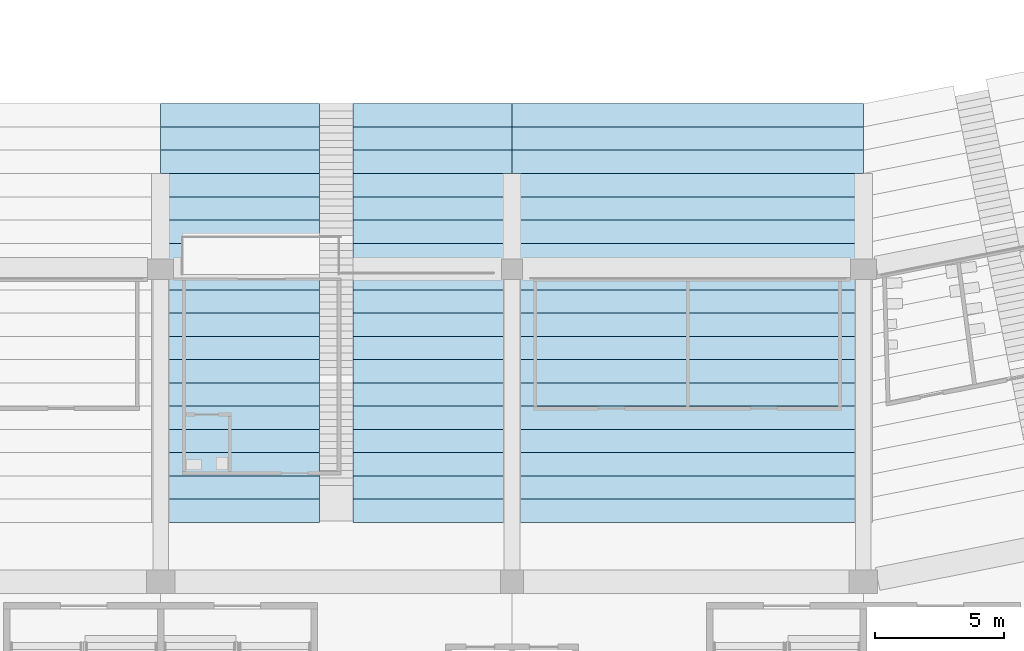
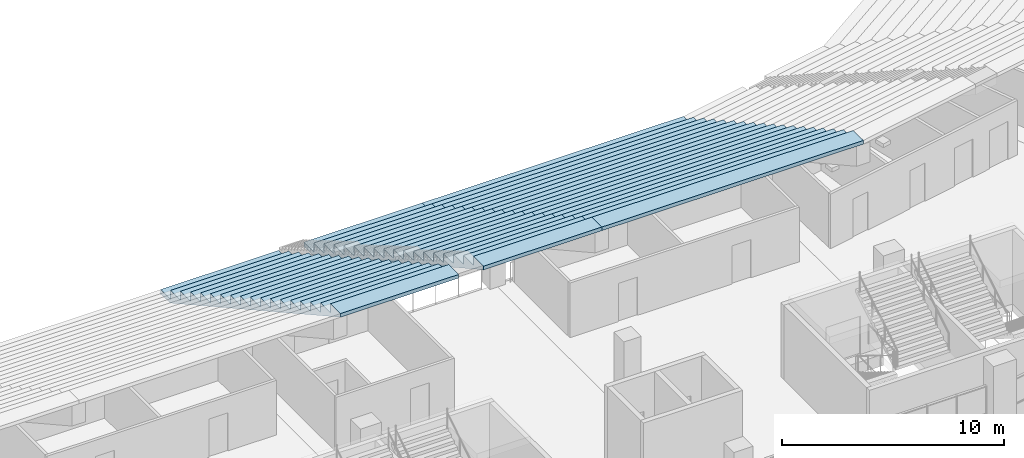
# One storey, part 118 of 249: 2 slabs.
"""IFC4 building model written with IfcOpenShell, lengths in metres."""

from ifc_helpers import new_model, si_unit, direction, frame, origin, place, context, subcontext, project, spatial, faceted_brep, material, layer, layer_set, type_object, element, save


model = new_model("IFC4")

# Units and contexts
model_context = context("Model", 3, precision=1e-05, world=origin(), true_north=direction((0.0, 1.0)))
body_context = subcontext(model_context, "Body", "Model", "MODEL_VIEW")
ifc_project = project(units=[si_unit("LENGTHUNIT", "METRE"), si_unit("AREAUNIT", "SQUARE_METRE"), si_unit("VOLUMEUNIT", "CUBIC_METRE"), si_unit("PLANEANGLEUNIT", "RADIAN"), si_unit("MASSUNIT", "GRAM", prefix="KILO")], contexts=[model_context])

# Site, building, storey
site_placement = place(None, origin())
site = spatial("IfcSite", under=ifc_project, at=site_placement, CompositionType="ELEMENT")
building_placement = place(site_placement, origin())
building = spatial("IfcBuilding", under=site, at=building_placement, Name="Ogive Plaza Stadium", CompositionType="ELEMENT")
storey_placement = place(building_placement, frame((0.0, 0.0, 13.5)))
storey = spatial("IfcBuildingStorey", under=building, at=storey_placement, Name="L03", CompositionType="ELEMENT", Elevation=13.5)

# Slabs
ifc_material = material(Name="Concrete C45/55 precast", Category="concrete")
ifc_layer = layer(ifc_material, 0.699951171875)
ifc_layer_set = layer_set([ifc_layer], Name="Concrete C45/55 precast")
slab_type = type_object("IfcSlabType", Name="Seating tier UT 700", PredefinedType="USERDEFINED", material=ifc_layer_set)
slab_1_placement = place(storey_placement, origin())
element("IfcSlab", 1, at=slab_1_placement, inside=storey, type_object=slab_type, Name="Stand UT B12", ObjectType="SEATING TIER", PredefinedType="USERDEFINED", context=body_context, shape_type="Brep", body=[
    faceted_brep([(20.39990234375, -74.0, 0.5), (20.39990234375, -74.89990234375, 0.5), (34.0, -74.89990234375, 0.5), (34.0, -74.0, 0.5), (20.39990234375, -74.89990234375, 0.300048828125), (34.0, -74.0, 0.25), (34.0, -74.89990234375, 0.300048828125), (20.39990234375, -74.0, 0.25), (34.0, -74.89990234375, 1.0), (20.39990234375, -74.89990234375, 1.0), (34.0, -75.800048828125, 1.0), (34.0, -75.800048828125, 0.800048828125), (34.0, -75.800048828125, 1.5), (34.0, -76.699951171875, 1.5), (34.0, -76.699951171875, 1.300048828125), (34.0, -76.699951171875, 2.0), (34.0, -77.60009765625, 2.0), (34.0, -77.60009765625, 1.800048828125), (34.0, -77.60009765625, 2.5), (34.0, -78.5, 2.5), (34.0, -78.5, 2.300048828125), (34.0, -78.5, 3.0), (34.0, -79.39990234375, 3.0), (34.0, -79.39990234375, 2.800048828125), (34.0, -79.39990234375, 3.5), (34.0, -80.300048828125, 3.5), (34.0, -80.300048828125, 3.300048828125), (34.0, -80.300048828125, 4.0), (34.0, -81.199951171875, 4.0), (34.0, -81.199951171875, 3.800048828125), (34.0, -81.199951171875, 4.5), (34.0, -82.10009765625, 4.5), (34.0, -82.10009765625, 4.300048828125), (34.0, -82.10009765625, 5.0), (34.0, -83.0, 5.0), (34.0, -83.0, 4.800048828125), (34.0, -83.0, 5.5), (34.0, -83.89990234375, 5.5), (34.0, -83.89990234375, 5.300048828125), (34.0, -83.89990234375, 6.0), (34.0, -84.800048828125, 6.0), (34.0, -84.800048828125, 5.800048828125), (34.0, -84.800048828125, 6.5), (34.0, -85.699951171875, 6.5), (34.0, -85.699951171875, 6.300048828125), (34.0, -85.699951171875, 7.0), (34.0, -86.60009765625, 7.0), (34.0, -86.60009765625, 6.800048828125), (34.0, -86.60009765625, 7.5), (34.0, -87.5, 7.5), (34.0, -87.5, 7.300048828125), (34.0, -87.5, 8.0), (34.0, -88.39990234375, 8.0), (34.0, -88.39990234375, 7.800048828125), (34.0, -88.39990234375, 8.5), (34.0, -89.300048828125, 8.5), (34.0, -89.300048828125, 8.300048828125), (34.0, -89.300048828125, 9.0), (34.0, -90.199951171875, 9.0), (34.0, -90.199951171875, 8.800048828125), (20.39990234375, -75.800048828125, 1.0), (20.39990234375, -75.800048828125, 0.800048828125), (20.39990234375, -76.699951171875, 1.5), (20.39990234375, -75.800048828125, 1.5), (20.39990234375, -76.699951171875, 1.300048828125), (20.39990234375, -77.60009765625, 2.0), (20.39990234375, -76.699951171875, 2.0), (20.39990234375, -77.60009765625, 1.800048828125), (20.39990234375, -78.5, 2.5), (20.39990234375, -77.60009765625, 2.5), (20.39990234375, -78.5, 2.300048828125), (20.39990234375, -79.39990234375, 3.0), (20.39990234375, -78.5, 3.0), (20.39990234375, -79.39990234375, 2.800048828125), (20.39990234375, -80.300048828125, 3.5), (20.39990234375, -79.39990234375, 3.5), (20.39990234375, -80.300048828125, 3.300048828125), (20.39990234375, -81.199951171875, 4.0), (20.39990234375, -80.300048828125, 4.0), (20.39990234375, -81.199951171875, 3.800048828125), (20.39990234375, -82.10009765625, 4.5), (20.39990234375, -81.199951171875, 4.5), (20.39990234375, -82.10009765625, 4.300048828125), (20.39990234375, -83.0, 5.0), (20.39990234375, -82.10009765625, 5.0), (20.39990234375, -83.0, 4.800048828125), (20.39990234375, -83.89990234375, 5.5), (20.39990234375, -83.0, 5.5), (20.39990234375, -83.89990234375, 5.300048828125), (20.39990234375, -84.800048828125, 6.0), (20.39990234375, -83.89990234375, 6.0), (20.39990234375, -84.800048828125, 5.800048828125), (20.39990234375, -85.699951171875, 6.5), (20.39990234375, -84.800048828125, 6.5), (20.39990234375, -85.699951171875, 6.300048828125), (20.39990234375, -86.60009765625, 7.0), (20.39990234375, -85.699951171875, 7.0), (20.39990234375, -86.60009765625, 6.800048828125), (20.39990234375, -87.5, 7.5), (20.39990234375, -86.60009765625, 7.5), (20.39990234375, -87.5, 7.300048828125), (20.39990234375, -88.39990234375, 8.0), (20.39990234375, -87.5, 8.0), (20.39990234375, -88.39990234375, 7.800048828125), (20.39990234375, -89.300048828125, 8.5), (20.39990234375, -88.39990234375, 8.5), (20.39990234375, -89.300048828125, 8.300048828125), (20.39990234375, -90.199951171875, 9.0), (20.39990234375, -89.300048828125, 9.0), (20.39990234375, -90.199951171875, 8.800048828125)], [[[0, 1, 2]], [[2, 3, 0]], [[4, 5, 6]], [[4, 7, 5]], [[8, 2, 1]], [[1, 9, 8]], [[6, 5, 3]], [[6, 3, 2]], [[2, 8, 10]], [[10, 11, 6]], [[6, 2, 10]], [[10, 12, 13]], [[13, 14, 11]], [[11, 10, 13]], [[13, 15, 16]], [[16, 17, 14]], [[14, 13, 16]], [[16, 18, 19]], [[19, 20, 17]], [[17, 16, 19]], [[19, 21, 22]], [[22, 23, 20]], [[20, 19, 22]], [[22, 24, 25]], [[25, 26, 23]], [[23, 22, 25]], [[25, 27, 28]], [[28, 29, 26]], [[26, 25, 28]], [[28, 30, 31]], [[31, 32, 29]], [[29, 28, 31]], [[31, 33, 34]], [[34, 35, 32]], [[32, 31, 34]], [[34, 36, 37]], [[37, 38, 35]], [[35, 34, 37]], [[37, 39, 40]], [[40, 41, 38]], [[38, 37, 40]], [[40, 42, 43]], [[43, 44, 41]], [[41, 40, 43]], [[43, 45, 46]], [[46, 47, 44]], [[44, 43, 46]], [[46, 48, 49]], [[49, 50, 47]], [[47, 46, 49]], [[49, 51, 52]], [[52, 53, 50]], [[50, 49, 52]], [[52, 54, 55]], [[55, 56, 53]], [[53, 52, 55]], [[55, 57, 58]], [[58, 59, 56]], [[56, 55, 58]], [[3, 5, 7]], [[7, 0, 3]], [[0, 7, 4]], [[4, 1, 0]], [[60, 9, 1]], [[1, 4, 61]], [[61, 60, 1]], [[62, 63, 60]], [[60, 61, 64]], [[64, 62, 60]], [[65, 66, 62]], [[62, 64, 67]], [[67, 65, 62]], [[68, 69, 65]], [[65, 67, 70]], [[70, 68, 65]], [[71, 72, 68]], [[68, 70, 73]], [[73, 71, 68]], [[74, 75, 71]], [[71, 73, 76]], [[76, 74, 71]], [[77, 78, 74]], [[74, 76, 79]], [[79, 77, 74]], [[80, 81, 77]], [[77, 79, 82]], [[82, 80, 77]], [[83, 84, 80]], [[80, 82, 85]], [[85, 83, 80]], [[86, 87, 83]], [[83, 85, 88]], [[88, 86, 83]], [[89, 90, 86]], [[86, 88, 91]], [[91, 89, 86]], [[92, 93, 89]], [[89, 91, 94]], [[94, 92, 89]], [[95, 96, 92]], [[92, 94, 97]], [[97, 95, 92]], [[98, 99, 95]], [[95, 97, 100]], [[100, 98, 95]], [[101, 102, 98]], [[98, 100, 103]], [[103, 101, 98]], [[104, 105, 101]], [[101, 103, 106]], [[106, 104, 101]], [[107, 108, 104]], [[104, 106, 109]], [[109, 107, 104]], [[9, 60, 10]], [[10, 8, 9]], [[61, 6, 11]], [[61, 4, 6]], [[64, 11, 14]], [[64, 61, 11]], [[67, 14, 17]], [[67, 64, 14]], [[70, 17, 20]], [[70, 67, 17]], [[73, 20, 23]], [[73, 70, 20]], [[76, 23, 26]], [[76, 73, 23]], [[79, 26, 29]], [[79, 76, 26]], [[82, 29, 32]], [[82, 79, 29]], [[85, 32, 35]], [[85, 82, 32]], [[88, 35, 38]], [[88, 85, 35]], [[91, 38, 41]], [[91, 88, 38]], [[94, 41, 44]], [[94, 91, 41]], [[97, 44, 47]], [[97, 94, 44]], [[100, 47, 50]], [[100, 97, 47]], [[12, 10, 60]], [[60, 63, 12]], [[63, 62, 13]], [[13, 12, 63]], [[15, 13, 62]], [[62, 66, 15]], [[66, 65, 16]], [[16, 15, 66]], [[18, 16, 65]], [[65, 69, 18]], [[69, 68, 19]], [[19, 18, 69]], [[21, 19, 68]], [[68, 72, 21]], [[72, 71, 22]], [[22, 21, 72]], [[24, 22, 71]], [[71, 75, 24]], [[75, 74, 25]], [[25, 24, 75]], [[27, 25, 74]], [[74, 78, 27]], [[78, 77, 28]], [[28, 27, 78]], [[30, 28, 77]], [[77, 81, 30]], [[81, 80, 31]], [[31, 30, 81]], [[33, 31, 80]], [[80, 84, 33]], [[84, 83, 34]], [[34, 33, 84]], [[36, 34, 83]], [[83, 87, 36]], [[87, 86, 37]], [[37, 36, 87]], [[39, 37, 86]], [[86, 90, 39]], [[90, 89, 40]], [[40, 39, 90]], [[42, 40, 89]], [[89, 93, 42]], [[93, 92, 43]], [[43, 42, 93]], [[45, 43, 92]], [[92, 96, 45]], [[96, 95, 46]], [[46, 45, 96]], [[48, 46, 95]], [[95, 99, 48]], [[99, 98, 49]], [[49, 48, 99]], [[51, 49, 98]], [[98, 102, 51]], [[102, 101, 52]], [[52, 51, 102]], [[103, 50, 53]], [[103, 100, 50]], [[106, 53, 56]], [[106, 103, 53]], [[109, 56, 59]], [[109, 106, 56]], [[54, 52, 101]], [[101, 105, 54]], [[105, 104, 55]], [[55, 54, 105]], [[57, 55, 104]], [[104, 108, 57]], [[108, 107, 58]], [[58, 57, 108]], [[107, 109, 59]], [[59, 58, 107]]]),
])
slab_2_placement = place(storey_placement, origin())
element("IfcSlab", 2, at=slab_2_placement, inside=storey, type_object=slab_type, Name="Stand UT B13", ObjectType="SEATING TIER", PredefinedType="USERDEFINED", context=body_context, shape_type="Brep", body=[
    faceted_brep([(14.25, -74.0, 0.5), (14.25, -74.89990234375, 0.5), (20.39990234375, -74.89990234375, 0.5), (20.39990234375, -74.0, 0.5), (6.800048828125, -74.0, 0.5), (6.800048828125, -74.89990234375, 0.5), (12.949951171875, -74.89990234375, 0.5), (12.949951171875, -74.0, 0.5), (14.25, -74.89990234375, 0.300048828125), (20.39990234375, -74.0, 0.25), (20.39990234375, -74.89990234375, 0.300048828125), (14.25, -74.0, 0.25), (6.800048828125, -74.89990234375, 0.300048828125), (12.949951171875, -74.0, 0.25), (12.949951171875, -74.89990234375, 0.300048828125), (6.800048828125, -74.0, 0.25), (20.39990234375, -74.89990234375, 1.0), (14.25, -74.89990234375, 1.0), (12.949951171875, -74.89990234375, 1.0), (6.800048828125, -74.89990234375, 1.0), (20.39990234375, -75.800048828125, 1.0), (20.39990234375, -75.800048828125, 0.800048828125), (20.39990234375, -75.800048828125, 1.5), (20.39990234375, -76.699951171875, 1.5), (20.39990234375, -76.699951171875, 1.300048828125), (20.39990234375, -76.699951171875, 2.0), (20.39990234375, -77.60009765625, 2.0), (20.39990234375, -77.60009765625, 1.800048828125), (20.39990234375, -77.60009765625, 2.5), (20.39990234375, -78.5, 2.5), (20.39990234375, -78.5, 2.300048828125), (20.39990234375, -78.5, 3.0), (20.39990234375, -79.39990234375, 3.0), (20.39990234375, -79.39990234375, 2.800048828125), (20.39990234375, -79.39990234375, 3.5), (20.39990234375, -80.300048828125, 3.5), (20.39990234375, -80.300048828125, 3.300048828125), (20.39990234375, -80.300048828125, 4.0), (20.39990234375, -81.199951171875, 4.0), (20.39990234375, -81.199951171875, 3.800048828125), (20.39990234375, -81.199951171875, 4.5), (20.39990234375, -82.10009765625, 4.5), (20.39990234375, -82.10009765625, 4.300048828125), (20.39990234375, -82.10009765625, 5.0), (20.39990234375, -83.0, 5.0), (20.39990234375, -83.0, 4.800048828125), (20.39990234375, -83.0, 5.5), (20.39990234375, -83.89990234375, 5.5), (20.39990234375, -83.89990234375, 5.300048828125), (20.39990234375, -83.89990234375, 6.0), (20.39990234375, -84.800048828125, 6.0), (20.39990234375, -84.800048828125, 5.800048828125), (20.39990234375, -84.800048828125, 6.5), (20.39990234375, -85.699951171875, 6.5), (20.39990234375, -85.699951171875, 6.300048828125), (20.39990234375, -85.699951171875, 7.0), (20.39990234375, -86.60009765625, 7.0), (20.39990234375, -86.60009765625, 6.800048828125), (20.39990234375, -86.60009765625, 7.5), (20.39990234375, -87.5, 7.5), (20.39990234375, -87.5, 7.300048828125), (20.39990234375, -87.5, 8.0), (20.39990234375, -88.39990234375, 8.0), (20.39990234375, -88.39990234375, 7.800048828125), (20.39990234375, -88.39990234375, 8.5), (20.39990234375, -89.300048828125, 8.5), (20.39990234375, -89.300048828125, 8.300048828125), (20.39990234375, -89.300048828125, 9.0), (20.39990234375, -90.199951171875, 9.0), (20.39990234375, -90.199951171875, 8.800048828125), (14.25, -75.800048828125, 1.0), (14.25, -75.800048828125, 0.800048828125), (14.25, -76.699951171875, 1.5), (14.25, -75.800048828125, 1.5), (14.25, -76.699951171875, 1.300048828125), (14.25, -77.60009765625, 2.0), (14.25, -76.699951171875, 2.0), (14.25, -77.60009765625, 1.800048828125), (14.25, -78.5, 2.5), (14.25, -77.60009765625, 2.5), (14.25, -78.5, 2.300048828125), (14.25, -79.39990234375, 3.0), (14.25, -78.5, 3.0), (14.25, -79.39990234375, 2.800048828125), (14.25, -80.300048828125, 3.5), (14.25, -79.39990234375, 3.5), (14.25, -80.300048828125, 3.300048828125), (14.25, -81.199951171875, 4.0), (14.25, -80.300048828125, 4.0), (14.25, -81.199951171875, 3.800048828125), (14.25, -82.10009765625, 4.5), (14.25, -81.199951171875, 4.5), (14.25, -82.10009765625, 4.300048828125), (14.25, -83.0, 5.0), (14.25, -82.10009765625, 5.0), (14.25, -83.0, 4.800048828125), (14.25, -83.89990234375, 5.5), (14.25, -83.0, 5.5), (14.25, -83.89990234375, 5.300048828125), (14.25, -84.800048828125, 6.0), (14.25, -83.89990234375, 6.0), (14.25, -84.800048828125, 5.800048828125), (14.25, -85.699951171875, 6.5), (14.25, -84.800048828125, 6.5), (14.25, -85.699951171875, 6.300048828125), (14.25, -86.60009765625, 7.0), (14.25, -85.699951171875, 7.0), (14.25, -86.60009765625, 6.800048828125), (14.25, -87.5, 7.5), (14.25, -86.60009765625, 7.5), (14.25, -87.5, 7.300048828125), (14.25, -88.39990234375, 8.0), (14.25, -87.5, 8.0), (14.25, -88.39990234375, 7.800048828125), (14.25, -89.300048828125, 8.5), (14.25, -88.39990234375, 8.5), (14.25, -89.300048828125, 8.300048828125), (14.25, -90.199951171875, 9.0), (14.25, -89.300048828125, 9.0), (14.25, -90.199951171875, 8.800048828125), (12.949951171875, -75.800048828125, 1.0), (12.949951171875, -75.800048828125, 0.800048828125), (12.949951171875, -75.800048828125, 1.5), (12.949951171875, -76.699951171875, 1.5), (12.949951171875, -76.699951171875, 1.300048828125), (12.949951171875, -76.699951171875, 2.0), (12.949951171875, -77.60009765625, 2.0), (12.949951171875, -77.60009765625, 1.800048828125), (12.949951171875, -77.60009765625, 2.5), (12.949951171875, -78.5, 2.5), (12.949951171875, -78.5, 2.300048828125), (12.949951171875, -78.5, 3.0), (12.949951171875, -79.39990234375, 3.0), (12.949951171875, -79.39990234375, 2.800048828125), (12.949951171875, -79.39990234375, 3.5), (12.949951171875, -80.300048828125, 3.5), (12.949951171875, -80.300048828125, 3.300048828125), (12.949951171875, -80.300048828125, 4.0), (12.949951171875, -81.199951171875, 4.0), (12.949951171875, -81.199951171875, 3.800048828125), (12.949951171875, -81.199951171875, 4.5), (12.949951171875, -82.10009765625, 4.5), (12.949951171875, -82.10009765625, 4.300048828125), (12.949951171875, -82.10009765625, 5.0), (12.949951171875, -83.0, 5.0), (12.949951171875, -83.0, 4.800048828125), (12.949951171875, -83.0, 5.5), (12.949951171875, -83.89990234375, 5.5), (12.949951171875, -83.89990234375, 5.300048828125), (12.949951171875, -83.89990234375, 6.0), (12.949951171875, -84.800048828125, 6.0), (12.949951171875, -84.800048828125, 5.800048828125), (12.949951171875, -84.800048828125, 6.5), (12.949951171875, -85.699951171875, 6.5), (12.949951171875, -85.699951171875, 6.300048828125), (12.949951171875, -85.699951171875, 7.0), (12.949951171875, -86.60009765625, 7.0), (12.949951171875, -86.60009765625, 6.800048828125), (12.949951171875, -86.60009765625, 7.5), (12.949951171875, -87.5, 7.5), (12.949951171875, -87.5, 7.300048828125), (12.949951171875, -87.5, 8.0), (12.949951171875, -88.39990234375, 8.0), (12.949951171875, -88.39990234375, 7.800048828125), (12.949951171875, -88.39990234375, 8.5), (12.949951171875, -89.300048828125, 8.5), (12.949951171875, -89.300048828125, 8.300048828125), (12.949951171875, -89.300048828125, 9.0), (12.949951171875, -90.199951171875, 9.0), (12.949951171875, -90.199951171875, 8.800048828125), (6.800048828125, -75.800048828125, 1.0), (6.800048828125, -75.800048828125, 0.800048828125), (6.800048828125, -76.699951171875, 1.5), (6.800048828125, -75.800048828125, 1.5), (6.800048828125, -76.699951171875, 1.300048828125), (6.800048828125, -77.60009765625, 2.0), (6.800048828125, -76.699951171875, 2.0), (6.800048828125, -77.60009765625, 1.800048828125), (6.800048828125, -78.5, 2.5), (6.800048828125, -77.60009765625, 2.5), (6.800048828125, -78.5, 2.300048828125), (6.800048828125, -79.39990234375, 3.0), (6.800048828125, -78.5, 3.0), (6.800048828125, -79.39990234375, 2.800048828125), (6.800048828125, -80.300048828125, 3.5), (6.800048828125, -79.39990234375, 3.5), (6.800048828125, -80.300048828125, 3.300048828125), (6.800048828125, -81.199951171875, 4.0), (6.800048828125, -80.300048828125, 4.0), (6.800048828125, -81.199951171875, 3.800048828125), (6.800048828125, -82.10009765625, 4.5), (6.800048828125, -81.199951171875, 4.5), (6.800048828125, -82.10009765625, 4.300048828125), (6.800048828125, -83.0, 5.0), (6.800048828125, -82.10009765625, 5.0), (6.800048828125, -83.0, 4.800048828125), (6.800048828125, -83.89990234375, 5.5), (6.800048828125, -83.0, 5.5), (6.800048828125, -83.89990234375, 5.300048828125), (6.800048828125, -84.800048828125, 6.0), (6.800048828125, -83.89990234375, 6.0), (6.800048828125, -84.800048828125, 5.800048828125), (6.800048828125, -85.699951171875, 6.5), (6.800048828125, -84.800048828125, 6.5), (6.800048828125, -85.699951171875, 6.300048828125), (6.800048828125, -86.60009765625, 7.0), (6.800048828125, -85.699951171875, 7.0), (6.800048828125, -86.60009765625, 6.800048828125), (6.800048828125, -87.5, 7.5), (6.800048828125, -86.60009765625, 7.5), (6.800048828125, -87.5, 7.300048828125), (6.800048828125, -88.39990234375, 8.0), (6.800048828125, -87.5, 8.0), (6.800048828125, -88.39990234375, 7.800048828125), (6.800048828125, -89.300048828125, 8.5), (6.800048828125, -88.39990234375, 8.5), (6.800048828125, -89.300048828125, 8.300048828125), (6.800048828125, -90.199951171875, 9.0), (6.800048828125, -89.300048828125, 9.0), (6.800048828125, -90.199951171875, 8.800048828125)], [[[0, 1, 2]], [[2, 3, 0]], [[4, 5, 6]], [[6, 7, 4]], [[8, 9, 10]], [[8, 11, 9]], [[12, 13, 14]], [[12, 15, 13]], [[16, 2, 1]], [[1, 17, 16]], [[18, 6, 5]], [[5, 19, 18]], [[10, 9, 3]], [[10, 3, 2]], [[2, 16, 20]], [[20, 21, 10]], [[10, 2, 20]], [[20, 22, 23]], [[23, 24, 21]], [[21, 20, 23]], [[23, 25, 26]], [[26, 27, 24]], [[24, 23, 26]], [[26, 28, 29]], [[29, 30, 27]], [[27, 26, 29]], [[29, 31, 32]], [[32, 33, 30]], [[30, 29, 32]], [[32, 34, 35]], [[35, 36, 33]], [[33, 32, 35]], [[35, 37, 38]], [[38, 39, 36]], [[36, 35, 38]], [[38, 40, 41]], [[41, 42, 39]], [[39, 38, 41]], [[41, 43, 44]], [[44, 45, 42]], [[42, 41, 44]], [[44, 46, 47]], [[47, 48, 45]], [[45, 44, 47]], [[47, 49, 50]], [[50, 51, 48]], [[48, 47, 50]], [[50, 52, 53]], [[53, 54, 51]], [[51, 50, 53]], [[53, 55, 56]], [[56, 57, 54]], [[54, 53, 56]], [[56, 58, 59]], [[59, 60, 57]], [[57, 56, 59]], [[59, 61, 62]], [[62, 63, 60]], [[60, 59, 62]], [[62, 64, 65]], [[65, 66, 63]], [[63, 62, 65]], [[65, 67, 68]], [[68, 69, 66]], [[66, 65, 68]], [[3, 9, 11]], [[11, 0, 3]], [[7, 13, 15]], [[15, 4, 7]], [[0, 11, 8]], [[8, 1, 0]], [[70, 17, 1]], [[1, 8, 71]], [[71, 70, 1]], [[72, 73, 70]], [[70, 71, 74]], [[74, 72, 70]], [[75, 76, 72]], [[72, 74, 77]], [[77, 75, 72]], [[78, 79, 75]], [[75, 77, 80]], [[80, 78, 75]], [[81, 82, 78]], [[78, 80, 83]], [[83, 81, 78]], [[84, 85, 81]], [[81, 83, 86]], [[86, 84, 81]], [[87, 88, 84]], [[84, 86, 89]], [[89, 87, 84]], [[90, 91, 87]], [[87, 89, 92]], [[92, 90, 87]], [[93, 94, 90]], [[90, 92, 95]], [[95, 93, 90]], [[96, 97, 93]], [[93, 95, 98]], [[98, 96, 93]], [[99, 100, 96]], [[96, 98, 101]], [[101, 99, 96]], [[102, 103, 99]], [[99, 101, 104]], [[104, 102, 99]], [[105, 106, 102]], [[102, 104, 107]], [[107, 105, 102]], [[108, 109, 105]], [[105, 107, 110]], [[110, 108, 105]], [[111, 112, 108]], [[108, 110, 113]], [[113, 111, 108]], [[114, 115, 111]], [[111, 113, 116]], [[116, 114, 111]], [[117, 118, 114]], [[114, 116, 119]], [[119, 117, 114]], [[14, 13, 7]], [[14, 7, 6]], [[6, 18, 120]], [[120, 121, 14]], [[14, 6, 120]], [[120, 122, 123]], [[123, 124, 121]], [[121, 120, 123]], [[123, 125, 126]], [[126, 127, 124]], [[124, 123, 126]], [[126, 128, 129]], [[129, 130, 127]], [[127, 126, 129]], [[129, 131, 132]], [[132, 133, 130]], [[130, 129, 132]], [[132, 134, 135]], [[135, 136, 133]], [[133, 132, 135]], [[135, 137, 138]], [[138, 139, 136]], [[136, 135, 138]], [[138, 140, 141]], [[141, 142, 139]], [[139, 138, 141]], [[141, 143, 144]], [[144, 145, 142]], [[142, 141, 144]], [[144, 146, 147]], [[147, 148, 145]], [[145, 144, 147]], [[147, 149, 150]], [[150, 151, 148]], [[148, 147, 150]], [[150, 152, 153]], [[153, 154, 151]], [[151, 150, 153]], [[153, 155, 156]], [[156, 157, 154]], [[154, 153, 156]], [[156, 158, 159]], [[159, 160, 157]], [[157, 156, 159]], [[159, 161, 162]], [[162, 163, 160]], [[160, 159, 162]], [[162, 164, 165]], [[165, 166, 163]], [[163, 162, 165]], [[165, 167, 168]], [[168, 169, 166]], [[166, 165, 168]], [[4, 15, 12]], [[12, 5, 4]], [[170, 19, 5]], [[5, 12, 171]], [[171, 170, 5]], [[172, 173, 170]], [[170, 171, 174]], [[174, 172, 170]], [[175, 176, 172]], [[172, 174, 177]], [[177, 175, 172]], [[178, 179, 175]], [[175, 177, 180]], [[180, 178, 175]], [[181, 182, 178]], [[178, 180, 183]], [[183, 181, 178]], [[184, 185, 181]], [[181, 183, 186]], [[186, 184, 181]], [[187, 188, 184]], [[184, 186, 189]], [[189, 187, 184]], [[190, 191, 187]], [[187, 189, 192]], [[192, 190, 187]], [[193, 194, 190]], [[190, 192, 195]], [[195, 193, 190]], [[196, 197, 193]], [[193, 195, 198]], [[198, 196, 193]], [[199, 200, 196]], [[196, 198, 201]], [[201, 199, 196]], [[202, 203, 199]], [[199, 201, 204]], [[204, 202, 199]], [[205, 206, 202]], [[202, 204, 207]], [[207, 205, 202]], [[208, 209, 205]], [[205, 207, 210]], [[210, 208, 205]], [[211, 212, 208]], [[208, 210, 213]], [[213, 211, 208]], [[214, 215, 211]], [[211, 213, 216]], [[216, 214, 211]], [[217, 218, 214]], [[214, 216, 219]], [[219, 217, 214]], [[17, 70, 20]], [[20, 16, 17]], [[19, 170, 120]], [[120, 18, 19]], [[71, 10, 21]], [[71, 8, 10]], [[171, 14, 121]], [[171, 12, 14]], [[74, 21, 24]], [[74, 71, 21]], [[174, 121, 124]], [[174, 171, 121]], [[77, 24, 27]], [[77, 74, 24]], [[177, 124, 127]], [[177, 174, 124]], [[80, 27, 30]], [[80, 77, 27]], [[180, 127, 130]], [[180, 177, 127]], [[83, 30, 33]], [[83, 80, 30]], [[183, 130, 133]], [[183, 180, 130]], [[86, 33, 36]], [[86, 83, 33]], [[186, 133, 136]], [[186, 183, 133]], [[89, 36, 39]], [[89, 86, 36]], [[189, 136, 139]], [[189, 186, 136]], [[92, 39, 42]], [[92, 89, 39]], [[192, 139, 142]], [[192, 189, 139]], [[95, 42, 45]], [[95, 92, 42]], [[195, 142, 145]], [[195, 192, 142]], [[98, 45, 48]], [[98, 95, 45]], [[198, 145, 148]], [[198, 195, 145]], [[101, 48, 51]], [[101, 98, 48]], [[201, 148, 151]], [[201, 198, 148]], [[104, 51, 54]], [[104, 101, 51]], [[204, 151, 154]], [[204, 201, 151]], [[107, 54, 57]], [[107, 104, 54]], [[207, 154, 157]], [[207, 204, 154]], [[110, 57, 60]], [[110, 107, 57]], [[210, 157, 160]], [[210, 207, 157]], [[22, 20, 70]], [[70, 73, 22]], [[122, 120, 170]], [[170, 173, 122]], [[73, 72, 23]], [[23, 22, 73]], [[173, 172, 123]], [[123, 122, 173]], [[25, 23, 72]], [[72, 76, 25]], [[125, 123, 172]], [[172, 176, 125]], [[76, 75, 26]], [[26, 25, 76]], [[176, 175, 126]], [[126, 125, 176]], [[28, 26, 75]], [[75, 79, 28]], [[128, 126, 175]], [[175, 179, 128]], [[79, 78, 29]], [[29, 28, 79]], [[179, 178, 129]], [[129, 128, 179]], [[31, 29, 78]], [[78, 82, 31]], [[131, 129, 178]], [[178, 182, 131]], [[82, 81, 32]], [[32, 31, 82]], [[182, 181, 132]], [[132, 131, 182]], [[34, 32, 81]], [[81, 85, 34]], [[134, 132, 181]], [[181, 185, 134]], [[85, 84, 35]], [[35, 34, 85]], [[185, 184, 135]], [[135, 134, 185]], [[37, 35, 84]], [[84, 88, 37]], [[137, 135, 184]], [[184, 188, 137]], [[88, 87, 38]], [[38, 37, 88]], [[188, 187, 138]], [[138, 137, 188]], [[40, 38, 87]], [[87, 91, 40]], [[140, 138, 187]], [[187, 191, 140]], [[91, 90, 41]], [[41, 40, 91]], [[191, 190, 141]], [[141, 140, 191]], [[43, 41, 90]], [[90, 94, 43]], [[143, 141, 190]], [[190, 194, 143]], [[94, 93, 44]], [[44, 43, 94]], [[194, 193, 144]], [[144, 143, 194]], [[46, 44, 93]], [[93, 97, 46]], [[146, 144, 193]], [[193, 197, 146]], [[97, 96, 47]], [[47, 46, 97]], [[197, 196, 147]], [[147, 146, 197]], [[49, 47, 96]], [[96, 100, 49]], [[149, 147, 196]], [[196, 200, 149]], [[100, 99, 50]], [[50, 49, 100]], [[200, 199, 150]], [[150, 149, 200]], [[52, 50, 99]], [[99, 103, 52]], [[152, 150, 199]], [[199, 203, 152]], [[103, 102, 53]], [[53, 52, 103]], [[203, 202, 153]], [[153, 152, 203]], [[55, 53, 102]], [[102, 106, 55]], [[155, 153, 202]], [[202, 206, 155]], [[106, 105, 56]], [[56, 55, 106]], [[206, 205, 156]], [[156, 155, 206]], [[58, 56, 105]], [[105, 109, 58]], [[158, 156, 205]], [[205, 209, 158]], [[109, 108, 59]], [[59, 58, 109]], [[209, 208, 159]], [[159, 158, 209]], [[61, 59, 108]], [[108, 112, 61]], [[161, 159, 208]], [[208, 212, 161]], [[112, 111, 62]], [[62, 61, 112]], [[212, 211, 162]], [[162, 161, 212]], [[113, 60, 63]], [[113, 110, 60]], [[213, 160, 163]], [[213, 210, 160]], [[116, 63, 66]], [[116, 113, 63]], [[216, 163, 166]], [[216, 213, 163]], [[119, 66, 69]], [[119, 116, 66]], [[219, 166, 169]], [[219, 216, 166]], [[64, 62, 111]], [[111, 115, 64]], [[164, 162, 211]], [[211, 215, 164]], [[115, 114, 65]], [[65, 64, 115]], [[215, 214, 165]], [[165, 164, 215]], [[67, 65, 114]], [[114, 118, 67]], [[167, 165, 214]], [[214, 218, 167]], [[118, 117, 68]], [[68, 67, 118]], [[218, 217, 168]], [[168, 167, 218]], [[117, 119, 69]], [[69, 68, 117]], [[217, 219, 169]], [[169, 168, 217]]]),
])

save(model, "model.ifc")
